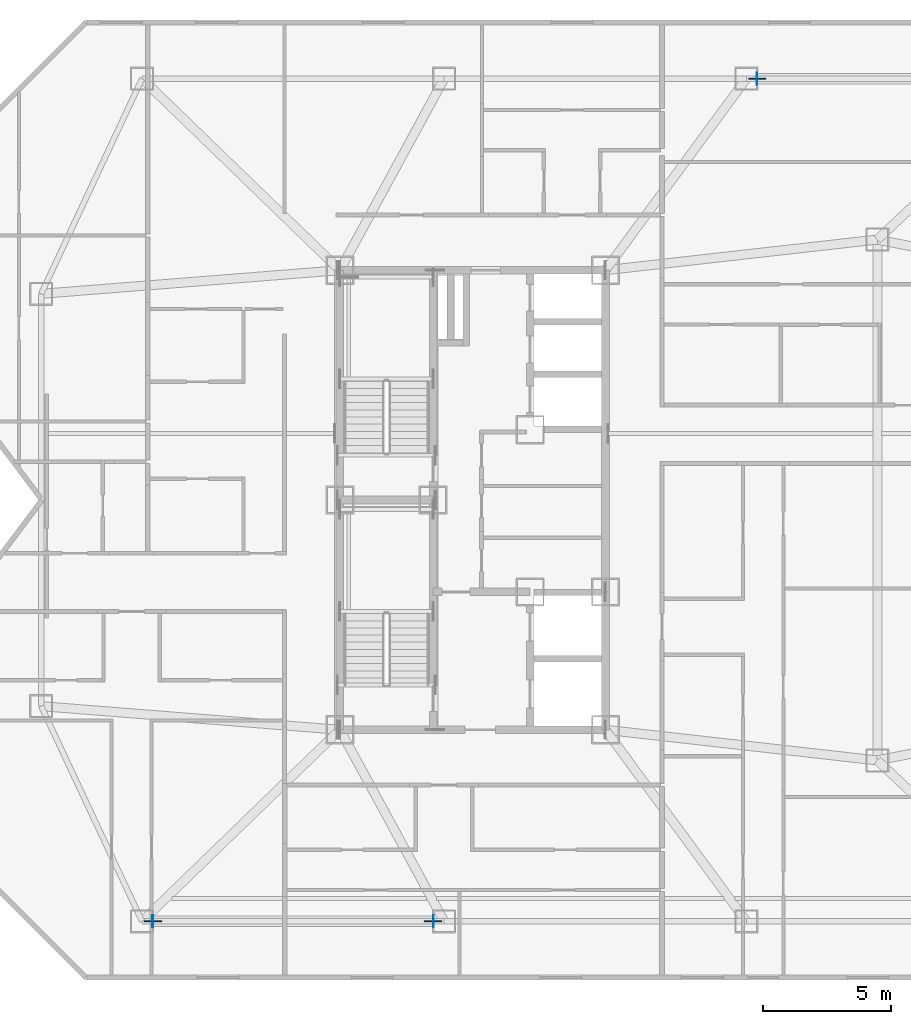
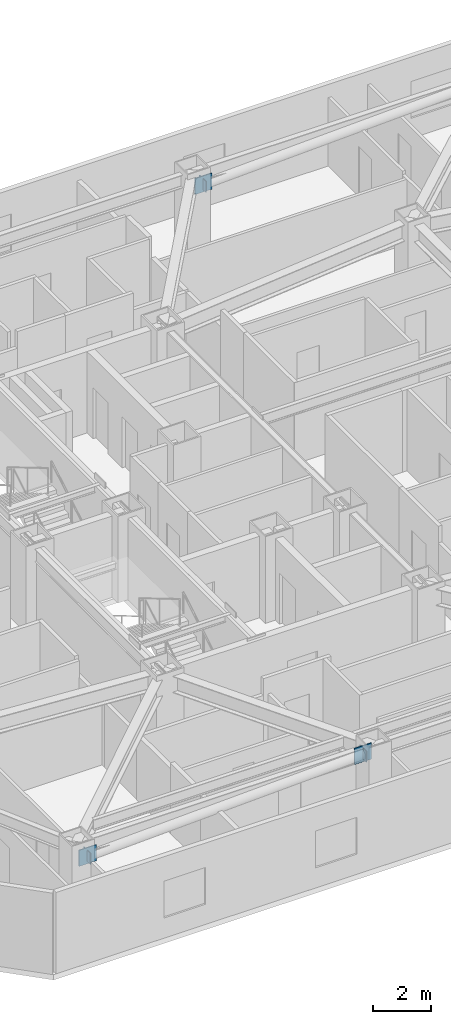
# One storey, part 3 of 11: 6 plates.
"""IFC4 building model written with IfcOpenShell, lengths in metres."""

from ifc_helpers import new_model, si_unit, direction, frame, origin, origin_2d, place, context, subcontext, project, spatial, rectangle, extrude, material, layer, layer_set, type_object, element, save


model = new_model("IFC4")

# Units and contexts
model_context = context("Model", 3, precision=1e-05, world=origin(), true_north=direction((0.0, 1.0)))
body_context = subcontext(model_context, "Body", "Model", "MODEL_VIEW")
ifc_project = project(units=[si_unit("LENGTHUNIT", "METRE"), si_unit("AREAUNIT", "SQUARE_METRE"), si_unit("VOLUMEUNIT", "CUBIC_METRE"), si_unit("PLANEANGLEUNIT", "RADIAN"), si_unit("MASSUNIT", "GRAM", prefix="KILO")], contexts=[model_context])

# Site, building, storey
site_placement = place(None, origin())
site = spatial("IfcSite", under=ifc_project, at=site_placement, CompositionType="ELEMENT")
building_placement = place(site_placement, origin())
building = spatial("IfcBuilding", under=site, at=building_placement, Name="Khamvora Tower", CompositionType="ELEMENT")
storey_placement = place(building_placement, frame((0.0, 0.0, 174.14990234375)))
storey = spatial("IfcBuildingStorey", under=building, at=storey_placement, Name="L44", CompositionType="ELEMENT", Elevation=174.14990234375)

# Plates
ifc_material_1 = material(Name="Steel S355", Category="steel")
ifc_layer_1 = layer(ifc_material_1, 0.02490234375)
ifc_layer_set_1 = layer_set([ifc_layer_1], Name="Steel S355")
plate_type_1 = type_object("IfcPlateType", Name="PL-CAP-25", PredefinedType="SHEET", material=ifc_layer_set_1)
for number, where, z_axis, x_axis, name in (
    (1, (21.66796875, 11.5, 2.4638671875), (0.0, 0.0, 1.0), (1.0, 0.0, 0.0), "L44 hollow section steel end cap plate 0956"),
    (2, (32.6650390625, 11.5, 2.912109375), (0.0, 0.0, 1.0), (1.0, 0.0, 0.0), "L44 hollow section steel end cap plate 0957"),
    (3, (45.3349609375, 44.5, 2.4638671875), (0.0, 0.0, 1.0), (1.0, 0.0, 0.0), "L44 hollow section steel end cap plate 0958"),
):
    element("IfcPlate", number, at=place(storey_placement, frame(where, z_axis=z_axis, x_axis=x_axis)), inside=storey, type_object=plate_type_1, Name=name, PredefinedType="SHEET", context=body_context, shape_type="SweptSolid", body=[
        extrude(rectangle(XDim=0.02490234375, YDim=0.466064453125, at=origin_2d()), origin(), (0.0, 0.0, 1.0), 0.466064453125),
    ])
ifc_material_2 = material(Name="Steel S460", Category="steel")
ifc_layer_2 = layer(ifc_material_2, 0.0400390625)
ifc_layer_set_2 = layer_set([ifc_layer_2], Name="Steel S460")
plate_type_2 = type_object("IfcPlateType", Name="PLT-GUS-40", PredefinedType="SHEET", material=ifc_layer_set_2)
for number, where, z_axis, x_axis, name in (
    (4, (21.679931640625, 11.5, 2.35791015625), (0.0, 0.0, 1.0), (1.0, 0.0, 0.0), "L44 brace connection node gusset plate 0293"),
    (5, (32.653076171875, 11.5, 2.80419921875), (0.0, 0.0, 1.0), (1.0, 0.0, 0.0), "L44 brace connection node gusset plate 0294"),
    (6, (45.346923828125, 44.5, 2.35791015625), (0.0, 0.0, 1.0), (1.0, 0.0, 0.0), "L44 brace connection node gusset plate 0295"),
):
    element("IfcPlate", number, at=place(storey_placement, frame(where, z_axis=z_axis, x_axis=x_axis)), inside=storey, type_object=plate_type_2, Name=name, PredefinedType="SHEET", context=body_context, shape_type="SweptSolid", body=[
        extrude(rectangle(XDim=0.679931640625, YDim=0.0400390625, at=origin_2d()), origin(), (0.0, 0.0, 1.0), 0.679931640625),
    ])

save(model, "model.ifc")
